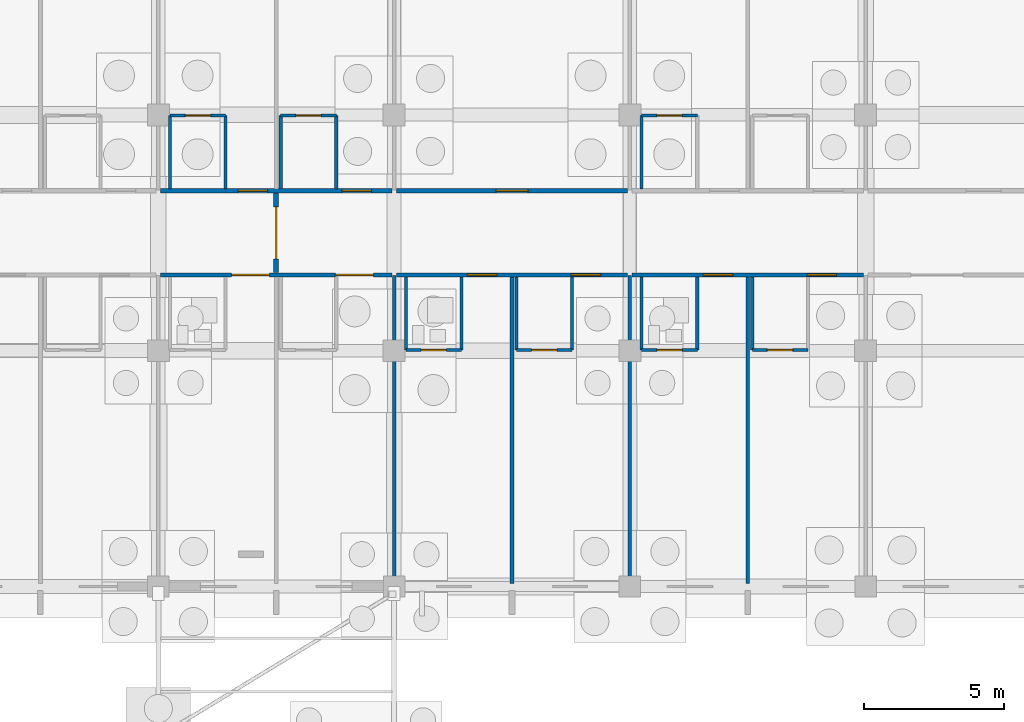
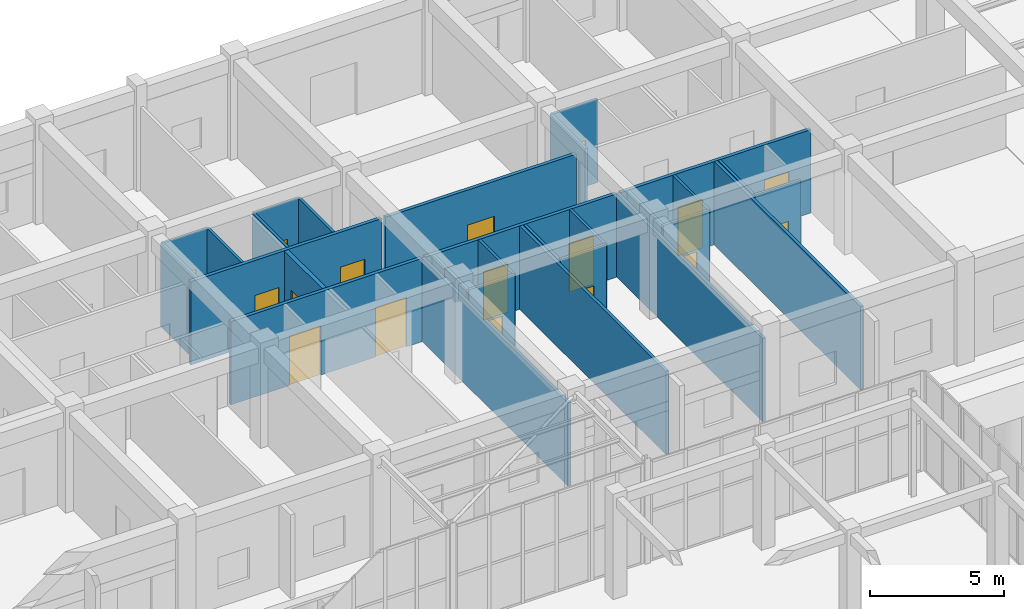
# One storey, part 168 of 192: 29 walls, 17 doors, 17 openings.
"""IFC4 building model written with IfcOpenShell, lengths in metres."""

from ifc_helpers import new_model, si_unit, direction, frame, frame_2d, origin, place, context, subcontext, project, spatial, rectangle, extrude, material, layer, layer_set, type_object, element, fill, save


model = new_model("IFC4")

# Units and contexts
model_context = context("Model", 3, precision=1e-05, world=origin(), true_north=direction((0.0, 1.0)))
body_context = subcontext(model_context, "Body", "Model", "MODEL_VIEW")
ifc_project = project(units=[si_unit("LENGTHUNIT", "METRE"), si_unit("AREAUNIT", "SQUARE_METRE"), si_unit("VOLUMEUNIT", "CUBIC_METRE"), si_unit("PLANEANGLEUNIT", "RADIAN"), si_unit("MASSUNIT", "GRAM", prefix="KILO")], contexts=[model_context])

# Site, building, storey
site_placement = place(None, origin())
site = spatial("IfcSite", under=ifc_project, at=site_placement, CompositionType="ELEMENT")
building_placement = place(site_placement, origin())
building = spatial("IfcBuilding", under=site, at=building_placement, Name="Trelvath General Hospital", CompositionType="ELEMENT")
storey_placement = place(building_placement, origin())
storey = spatial("IfcBuildingStorey", under=building, at=storey_placement, Name="L00", CompositionType="ELEMENT", Elevation=0.0)

# Wall, openings, doors
ifc_material_1 = material(Name="Gypsum acoustic steel-stud partition", Category="steel")
ifc_layer_1 = layer(ifc_material_1, 0.14990234375)
ifc_layer_set_1 = layer_set([ifc_layer_1], Name="Gypsum acoustic steel-stud partition")
wall_type_1 = type_object("IfcWallType", Name="ClinicalPartition 150", PredefinedType="PARTITIONING", material=ifc_layer_set_1)
wall_1_placement = place(storey_placement, frame((100.8798828125, 103.5, 0.0), z_axis=(0.0, 0.0, 1.0), x_axis=(1.0, 0.0, 0.0)))
wall_1 = element("IfcWall", 1, at=wall_1_placement, inside=storey, type_object=wall_type_1, Name="Corridor Partition L00-268", PredefinedType="PARTITIONING", context=body_context, shape_type="SweptSolid", body=[
    extrude(rectangle(XDim=8.240234375, YDim=0.14990234375, at=frame_2d((4.1201171875, 0.0))), origin(), (0.0, 0.0, 1.0), 3.800048828125),
])
opening_1_placement = place(wall_1_placement, frame((2.530029296875, 0.0, 0.0)))
opening_1 = element("IfcOpeningElement", 2, at=opening_1_placement, cuts=wall_1, Name="Opening D-0-0414", PredefinedType="OPENING", context=body_context, shape_type="SweptSolid", body=[
    extrude(rectangle(XDim=1.35009765625, YDim=2.25, at=frame_2d((0.675048828125, 1.125))), frame((0.0, 0.0849609375, 0.0), z_axis=(0.0, -1.0, 0.0), x_axis=(1.0, 0.0, 0.0)), (0.0, 0.0, 1.0), 0.169921875),
])
opening_2_placement = place(wall_1_placement, frame((6.22998046875, 0.0, 0.0)))
opening_2 = element("IfcOpeningElement", 3, at=opening_2_placement, cuts=wall_1, Name="Opening D-0-0415", PredefinedType="OPENING", context=body_context, shape_type="SweptSolid", body=[
    extrude(rectangle(XDim=1.35009765625, YDim=2.25, at=frame_2d((0.675048828125, 1.125))), frame((0.0, 0.0849609375, 0.0), z_axis=(0.0, -1.0, 0.0), x_axis=(1.0, 0.0, 0.0)), (0.0, 0.0, 1.0), 0.169921875),
])
ifc_material_2 = material(Name="Airtight isolation bed door")
door_type_1 = type_object("IfcDoorType", Name="Door PatientIso 1350x2250", OperationType="NOTDEFINED", PredefinedType="DOOR", material=ifc_material_2)
door_1_placement = place(opening_1_placement, origin())
door_1 = element("IfcDoor", 4, at=door_1_placement, inside=storey, type_object=door_type_1, Name="Patient Room Door L00-414", OperationType="SINGLE_SWING_RIGHT", OverallHeight=2.25, OverallWidth=1.35009765625, PredefinedType="DOOR", context=body_context, shape_type="SweptSolid", body=[
    extrude(rectangle(XDim=1.35009765625, YDim=2.25, at=frame_2d((0.675048828125, 1.125))), frame((0.0, 0.02490234375, 0.0), z_axis=(0.0, -1.0, 0.0), x_axis=(1.0, 0.0, 0.0)), (0.0, 0.0, 1.0), 0.050048828125),
])
fill(opening_1, door_1)
door_2_placement = place(opening_2_placement, origin())
door_2 = element("IfcDoor", 5, at=door_2_placement, inside=storey, type_object=door_type_1, Name="Patient Room Door L00-415", OperationType="SINGLE_SWING_LEFT", OverallHeight=2.25, OverallWidth=1.35009765625, PredefinedType="DOOR", context=body_context, shape_type="SweptSolid", body=[
    extrude(rectangle(XDim=1.35009765625, YDim=2.25, at=frame_2d((0.675048828125, 1.125))), frame((0.0, 0.02490234375, 0.0), z_axis=(0.0, -1.0, 0.0), x_axis=(1.0, 0.0, 0.0)), (0.0, 0.0, 1.0), 0.050048828125),
])
fill(opening_2, door_2)

wall_2_placement = place(storey_placement, frame((109.1201171875, 106.5, 0.0), z_axis=(0.0, 0.0, 1.0), x_axis=(-1.0, 0.0, 0.0)))
wall_2 = element("IfcWall", 6, at=wall_2_placement, inside=storey, type_object=wall_type_1, Name="Corridor Partition N L00-277", PredefinedType="PARTITIONING", context=body_context, shape_type="SweptSolid", body=[
    extrude(rectangle(XDim=8.240234375, YDim=0.14990234375, at=frame_2d((4.1201171875, 0.0))), origin(), (0.0, 0.0, 1.0), 3.800048828125),
])
opening_3_placement = place(wall_2_placement, frame((0.72998046875, 0.0, 0.0)))
opening_3 = element("IfcOpeningElement", 7, at=opening_3_placement, cuts=wall_2, Name="Opening D-0-0418", PredefinedType="OPENING", context=body_context, shape_type="SweptSolid", body=[
    extrude(rectangle(XDim=1.050048828125, YDim=2.199951171875, at=frame_2d((0.52490234375, 1.10009765625))), frame((0.0, 0.0849609375, 0.0), z_axis=(0.0, -1.0, 0.0), x_axis=(1.0, 0.0, 0.0)), (0.0, 0.0, 1.0), 0.169921875),
])
opening_4_placement = place(wall_2_placement, frame((4.429931640625, 0.0, 0.0)))
opening_4 = element("IfcOpeningElement", 8, at=opening_4_placement, cuts=wall_2, Name="Opening D-0-0419", PredefinedType="OPENING", context=body_context, shape_type="SweptSolid", body=[
    extrude(rectangle(XDim=1.050048828125, YDim=2.199951171875, at=frame_2d((0.52490234375, 1.10009765625))), frame((0.0, 0.0849609375, 0.0), z_axis=(0.0, -1.0, 0.0), x_axis=(1.0, 0.0, 0.0)), (0.0, 0.0, 1.0), 0.169921875),
])
ifc_material_3 = material(Name="Acoustic hospital timber leaf", Category="wood")
door_type_2 = type_object("IfcDoorType", Name="Door Consult 1050x2200", OperationType="NOTDEFINED", PredefinedType="DOOR", material=ifc_material_3)
door_3_placement = place(opening_3_placement, origin())
door_3 = element("IfcDoor", 9, at=door_3_placement, inside=storey, type_object=door_type_2, Name="Patient Room Door N L00-418", OperationType="SINGLE_SWING_RIGHT", OverallHeight=2.199951171875, OverallWidth=1.050048828125, PredefinedType="DOOR", context=body_context, shape_type="SweptSolid", body=[
    extrude(rectangle(XDim=1.050048828125, YDim=2.199951171875, at=frame_2d((0.52490234375, 1.10009765625))), frame((0.0, 0.02490234375, 0.0), z_axis=(0.0, -1.0, 0.0), x_axis=(1.0, 0.0, 0.0)), (0.0, 0.0, 1.0), 0.050048828125),
])
fill(opening_3, door_3)
door_4_placement = place(opening_4_placement, origin())
door_4 = element("IfcDoor", 10, at=door_4_placement, inside=storey, type_object=door_type_2, Name="Patient Room Door N L00-419", OperationType="SINGLE_SWING_RIGHT", OverallHeight=2.199951171875, OverallWidth=1.050048828125, PredefinedType="DOOR", context=body_context, shape_type="SweptSolid", body=[
    extrude(rectangle(XDim=1.050048828125, YDim=2.199951171875, at=frame_2d((0.52490234375, 1.10009765625))), frame((0.0, 0.02490234375, 0.0), z_axis=(0.0, -1.0, 0.0), x_axis=(1.0, 0.0, 0.0)), (0.0, 0.0, 1.0), 0.050048828125),
])
fill(opening_4, door_4)

wall_3_placement = place(storey_placement, frame((109.280029296875, 103.5, 0.0), z_axis=(0.0, 0.0, 1.0), x_axis=(1.0, 0.0, 0.0)))
wall_3 = element("IfcWall", 11, at=wall_3_placement, inside=storey, type_object=wall_type_1, Name="Corridor Partition L00-288", PredefinedType="PARTITIONING", context=body_context, shape_type="SweptSolid", body=[
    extrude(rectangle(XDim=8.239990234375, YDim=0.14990234375, at=frame_2d((4.1201171875, 0.0))), origin(), (0.0, 0.0, 1.0), 3.800048828125),
])
opening_5_placement = place(wall_3_placement, frame((2.530029296875, 0.0, 0.0)))
opening_5 = element("IfcOpeningElement", 12, at=opening_5_placement, cuts=wall_3, Name="Opening D-0-0423", PredefinedType="OPENING", context=body_context, shape_type="SweptSolid", body=[
    extrude(rectangle(XDim=1.050048828125, YDim=2.199951171875, at=frame_2d((0.52490234375, 1.10009765625))), frame((0.0, 0.0849609375, 0.0), z_axis=(0.0, -1.0, 0.0), x_axis=(1.0, 0.0, 0.0)), (0.0, 0.0, 1.0), 0.169921875),
])
opening_6_placement = place(wall_3_placement, frame((6.22998046875, 0.0, 0.0)))
opening_6 = element("IfcOpeningElement", 13, at=opening_6_placement, cuts=wall_3, Name="Opening D-0-0424", PredefinedType="OPENING", context=body_context, shape_type="SweptSolid", body=[
    extrude(rectangle(XDim=1.050048828125, YDim=2.199951171875, at=frame_2d((0.52490234375, 1.10009765625))), frame((0.0, 0.0849609375, 0.0), z_axis=(0.0, -1.0, 0.0), x_axis=(1.0, 0.0, 0.0)), (0.0, 0.0, 1.0), 0.169921875),
])
door_5_placement = place(opening_5_placement, origin())
door_5 = element("IfcDoor", 14, at=door_5_placement, inside=storey, type_object=door_type_2, Name="Patient Room Door L00-423", OperationType="SINGLE_SWING_LEFT", OverallHeight=2.199951171875, OverallWidth=1.050048828125, PredefinedType="DOOR", context=body_context, shape_type="SweptSolid", body=[
    extrude(rectangle(XDim=1.050048828125, YDim=2.199951171875, at=frame_2d((0.52490234375, 1.10009765625))), frame((0.0, 0.02490234375, 0.0), z_axis=(0.0, -1.0, 0.0), x_axis=(1.0, 0.0, 0.0)), (0.0, 0.0, 1.0), 0.050048828125),
])
fill(opening_5, door_5)
door_6_placement = place(opening_6_placement, origin())
door_6 = element("IfcDoor", 15, at=door_6_placement, inside=storey, type_object=door_type_2, Name="Patient Room Door L00-424", OperationType="SINGLE_SWING_RIGHT", OverallHeight=2.199951171875, OverallWidth=1.050048828125, PredefinedType="DOOR", context=body_context, shape_type="SweptSolid", body=[
    extrude(rectangle(XDim=1.050048828125, YDim=2.199951171875, at=frame_2d((0.52490234375, 1.10009765625))), frame((0.0, 0.02490234375, 0.0), z_axis=(0.0, -1.0, 0.0), x_axis=(1.0, 0.0, 0.0)), (0.0, 0.0, 1.0), 0.050048828125),
])
fill(opening_6, door_6)

# Wall, opening, door
wall_4_placement = place(storey_placement, frame((117.52001953125, 106.5, 0.0), z_axis=(0.0, 0.0, 1.0), x_axis=(-1.0, 0.0, 0.0)))
wall_4 = element("IfcWall", 16, at=wall_4_placement, inside=storey, type_object=wall_type_1, Name="Corridor Partition N L00-296", PredefinedType="PARTITIONING", context=body_context, shape_type="SweptSolid", body=[
    extrude(rectangle(XDim=8.239990234375, YDim=0.14990234375, at=frame_2d((4.1201171875, 0.0))), origin(), (0.0, 0.0, 1.0), 3.800048828125),
])
opening_7_placement = place(wall_4_placement, frame((3.544921875, 0.0, 0.0)))
opening_7 = element("IfcOpeningElement", 17, at=opening_7_placement, cuts=wall_4, Name="Opening D-0-0427", PredefinedType="OPENING", context=body_context, shape_type="SweptSolid", body=[
    extrude(rectangle(XDim=1.14990234375, YDim=2.199951171875, at=frame_2d((0.574951171875, 1.10009765625))), frame((0.0, 0.0849609375, 0.0), z_axis=(0.0, -1.0, 0.0), x_axis=(1.0, 0.0, 0.0)), (0.0, 0.0, 1.0), 0.169921875),
])
ifc_material_4 = material(Name="Phenolic cleanroom door")
door_type_3 = type_object("IfcDoorType", Name="Door Pharmacy 1150x2200", OperationType="NOTDEFINED", PredefinedType="DOOR", material=ifc_material_4)
door_7_placement = place(opening_7_placement, origin())
door_7 = element("IfcDoor", 18, at=door_7_placement, inside=storey, type_object=door_type_3, Name="Clinical Room Door L00-427", OperationType="SINGLE_SWING_LEFT", OverallHeight=2.199951171875, OverallWidth=1.14990234375, PredefinedType="DOOR", context=body_context, shape_type="SweptSolid", body=[
    extrude(rectangle(XDim=1.14990234375, YDim=2.199951171875, at=frame_2d((0.574951171875, 1.10009765625))), frame((0.0, 0.02490234375, 0.0), z_axis=(0.0, -1.0, 0.0), x_axis=(1.0, 0.0, 0.0)), (0.0, 0.0, 1.0), 0.050048828125),
])
fill(opening_7, door_7)

# Wall, openings, doors
wall_5_placement = place(storey_placement, frame((117.679931640625, 103.5, 0.0), z_axis=(0.0, 0.0, 1.0), x_axis=(1.0, 0.0, 0.0)))
wall_5 = element("IfcWall", 19, at=wall_5_placement, inside=storey, type_object=wall_type_1, Name="Corridor Partition L00-299", PredefinedType="PARTITIONING", context=body_context, shape_type="SweptSolid", body=[
    extrude(rectangle(XDim=8.239990234375, YDim=0.14990234375, at=frame_2d((4.1201171875, 0.0))), origin(), (0.0, 0.0, 1.0), 3.800048828125),
])
opening_8_placement = place(wall_5_placement, frame((2.530029296875, 0.0, 0.0)))
opening_8 = element("IfcOpeningElement", 20, at=opening_8_placement, cuts=wall_5, Name="Opening D-0-0428", PredefinedType="OPENING", context=body_context, shape_type="SweptSolid", body=[
    extrude(rectangle(XDim=1.050048828125, YDim=2.199951171875, at=frame_2d((0.52490234375, 1.10009765625))), frame((0.0, 0.0849609375, 0.0), z_axis=(0.0, -1.0, 0.0), x_axis=(1.0, 0.0, 0.0)), (0.0, 0.0, 1.0), 0.169921875),
])
opening_9_placement = place(wall_5_placement, frame((6.22998046875, 0.0, 0.0)))
opening_9 = element("IfcOpeningElement", 21, at=opening_9_placement, cuts=wall_5, Name="Opening D-0-0429", PredefinedType="OPENING", context=body_context, shape_type="SweptSolid", body=[
    extrude(rectangle(XDim=1.050048828125, YDim=2.199951171875, at=frame_2d((0.52490234375, 1.10009765625))), frame((0.0, 0.0849609375, 0.0), z_axis=(0.0, -1.0, 0.0), x_axis=(1.0, 0.0, 0.0)), (0.0, 0.0, 1.0), 0.169921875),
])
door_8_placement = place(opening_8_placement, origin())
door_8 = element("IfcDoor", 22, at=door_8_placement, inside=storey, type_object=door_type_2, Name="Patient Room Door L00-428", OperationType="SINGLE_SWING_RIGHT", OverallHeight=2.199951171875, OverallWidth=1.050048828125, PredefinedType="DOOR", context=body_context, shape_type="SweptSolid", body=[
    extrude(rectangle(XDim=1.050048828125, YDim=2.199951171875, at=frame_2d((0.52490234375, 1.10009765625))), frame((0.0, 0.02490234375, 0.0), z_axis=(0.0, -1.0, 0.0), x_axis=(1.0, 0.0, 0.0)), (0.0, 0.0, 1.0), 0.050048828125),
])
fill(opening_8, door_8)
door_9_placement = place(opening_9_placement, origin())
door_9 = element("IfcDoor", 23, at=door_9_placement, inside=storey, type_object=door_type_2, Name="Patient Room Door L00-429", OperationType="SINGLE_SWING_LEFT", OverallHeight=2.199951171875, OverallWidth=1.050048828125, PredefinedType="DOOR", context=body_context, shape_type="SweptSolid", body=[
    extrude(rectangle(XDim=1.050048828125, YDim=2.199951171875, at=frame_2d((0.52490234375, 1.10009765625))), frame((0.0, 0.02490234375, 0.0), z_axis=(0.0, -1.0, 0.0), x_axis=(1.0, 0.0, 0.0)), (0.0, 0.0, 1.0), 0.050048828125),
])
fill(opening_9, door_9)

# Walls
ifc_material_5 = material(Name="Moisture-resistant tile partition")
ifc_layer_2 = layer(ifc_material_5, 0.110107421875)
ifc_layer_set_2 = layer_set([ifc_layer_2], Name="Moisture-resistant tile partition")
wall_type_2 = type_object("IfcWallType", Name="EnSuiteWetWall 110", PredefinedType="PARTITIONING", material=ifc_layer_set_2)
for number, where, z_axis, x_axis, name in (
    (24, (101.219970703125, 106.570068359375, 0.0), (0.0, 0.0, 1.0), (0.0, 1.0, 0.0), "En-Suite W Wall N L00-279"),
    (25, (103.199951171875, 106.570068359375, 0.0), (0.0, 0.0, 1.0), (0.0, 1.0, 0.0), "En-Suite E Wall N L00-280"),
):
    element("IfcWall", number, at=place(storey_placement, frame(where, z_axis=z_axis, x_axis=x_axis)), inside=storey, type_object=wall_type_2, Name=name, PredefinedType="PARTITIONING", context=body_context, shape_type="SweptSolid", body=[
        extrude(rectangle(XDim=2.60986328125, YDim=0.110107421875, at=frame_2d((1.304931640625, 0.0))), origin(), (0.0, 0.0, 1.0), 3.800048828125),
    ])

# Wall, opening, door
wall_6_placement = place(storey_placement, frame((101.219970703125, 109.179931640625, 0.0), z_axis=(0.0, 0.0, 1.0), x_axis=(1.0, 0.0, 0.0)))
wall_6 = element("IfcWall", 26, at=wall_6_placement, inside=storey, type_object=wall_type_2, Name="En-Suite Bathroom N Partition L00-281", PredefinedType="PARTITIONING", context=body_context, shape_type="SweptSolid", body=[
    extrude(rectangle(XDim=1.97998046875, YDim=0.110107421875, at=frame_2d((0.989990234375, 0.0))), origin(), (0.0, 0.0, 1.0), 3.800048828125),
])
opening_10_placement = place(wall_6_placement, frame((0.5400390625, 0.0, 0.0)))
opening_10 = element("IfcOpeningElement", 27, at=opening_10_placement, cuts=wall_6, Name="Opening D-0-0420", PredefinedType="OPENING", context=body_context, shape_type="SweptSolid", body=[
    extrude(rectangle(XDim=0.89990234375, YDim=2.10009765625, at=frame_2d((0.449951171875, 1.050048828125))), frame((0.0, 0.06494140625, 0.0), z_axis=(0.0, -1.0, 0.0), x_axis=(1.0, 0.0, 0.0)), (0.0, 0.0, 1.0), 0.130126953125),
])
ifc_material_6 = material(Name="Moisture-sealed timber leaf", Category="wood")
door_type_4 = type_object("IfcDoorType", Name="Door EnSuite 900x2100", OperationType="NOTDEFINED", PredefinedType="DOOR", material=ifc_material_6)
door_10_placement = place(opening_10_placement, origin())
door_10 = element("IfcDoor", 28, at=door_10_placement, inside=storey, type_object=door_type_4, Name="En-Suite Bathroom N Door L00-420", OperationType="SINGLE_SWING_LEFT", OverallHeight=2.10009765625, OverallWidth=0.89990234375, PredefinedType="DOOR", context=body_context, shape_type="SweptSolid", body=[
    extrude(rectangle(XDim=0.89990234375, YDim=2.10009765625, at=frame_2d((0.449951171875, 1.050048828125))), frame((0.0, 0.02490234375, 0.0), z_axis=(0.0, -1.0, 0.0), x_axis=(1.0, 0.0, 0.0)), (0.0, 0.0, 1.0), 0.050048828125),
])
fill(opening_10, door_10)

# Walls
for number, where, z_axis, x_axis, name in (
    (29, (105.159912109375, 106.570068359375, 0.0), (0.0, 0.0, 1.0), (0.0, 1.0, 0.0), "En-Suite W Wall N L00-282"),
    (30, (107.139892578125, 106.570068359375, 0.0), (0.0, 0.0, 1.0), (0.0, 1.0, 0.0), "En-Suite E Wall N L00-283"),
):
    element("IfcWall", number, at=place(storey_placement, frame(where, z_axis=z_axis, x_axis=x_axis)), inside=storey, type_object=wall_type_2, Name=name, PredefinedType="PARTITIONING", context=body_context, shape_type="SweptSolid", body=[
        extrude(rectangle(XDim=2.60986328125, YDim=0.110107421875, at=frame_2d((1.304931640625, 0.0))), origin(), (0.0, 0.0, 1.0), 3.800048828125),
    ])

# Wall, opening, door
wall_7_placement = place(storey_placement, frame((105.159912109375, 109.179931640625, 0.0), z_axis=(0.0, 0.0, 1.0), x_axis=(1.0, 0.0, 0.0)))
wall_7 = element("IfcWall", 31, at=wall_7_placement, inside=storey, type_object=wall_type_2, Name="En-Suite Bathroom N Partition L00-284", PredefinedType="PARTITIONING", context=body_context, shape_type="SweptSolid", body=[
    extrude(rectangle(XDim=1.97998046875, YDim=0.110107421875, at=frame_2d((0.989990234375, 0.0))), origin(), (0.0, 0.0, 1.0), 3.800048828125),
])
opening_11_placement = place(wall_7_placement, frame((0.5400390625, 0.0, 0.0)))
opening_11 = element("IfcOpeningElement", 32, at=opening_11_placement, cuts=wall_7, Name="Opening D-0-0421", PredefinedType="OPENING", context=body_context, shape_type="SweptSolid", body=[
    extrude(rectangle(XDim=0.89990234375, YDim=2.10009765625, at=frame_2d((0.449951171875, 1.050048828125))), frame((0.0, 0.06494140625, 0.0), z_axis=(0.0, -1.0, 0.0), x_axis=(1.0, 0.0, 0.0)), (0.0, 0.0, 1.0), 0.130126953125),
])
door_11_placement = place(opening_11_placement, origin())
door_11 = element("IfcDoor", 33, at=door_11_placement, inside=storey, type_object=door_type_4, Name="En-Suite Bathroom N Door L00-421", OperationType="SINGLE_SWING_RIGHT", OverallHeight=2.10009765625, OverallWidth=0.89990234375, PredefinedType="DOOR", context=body_context, shape_type="SweptSolid", body=[
    extrude(rectangle(XDim=0.89990234375, YDim=2.10009765625, at=frame_2d((0.449951171875, 1.050048828125))), frame((0.0, 0.02490234375, 0.0), z_axis=(0.0, -1.0, 0.0), x_axis=(1.0, 0.0, 0.0)), (0.0, 0.0, 1.0), 0.050048828125),
])
fill(opening_11, door_11)

# Walls
for number, where, z_axis, x_axis, name in (
    (34, (109.6201171875, 100.820068359375, 0.0), (0.0, 0.0, 1.0), (0.0, 1.0, 0.0), "En-Suite W Wall L00-290"),
    (35, (111.60009765625, 100.820068359375, 0.0), (0.0, 0.0, 1.0), (0.0, 1.0, 0.0), "En-Suite E Wall L00-291"),
):
    element("IfcWall", number, at=place(storey_placement, frame(where, z_axis=z_axis, x_axis=x_axis)), inside=storey, type_object=wall_type_2, Name=name, PredefinedType="PARTITIONING", context=body_context, shape_type="SweptSolid", body=[
        extrude(rectangle(XDim=2.60986328125, YDim=0.110107421875, at=frame_2d((1.304931640625, 0.0))), origin(), (0.0, 0.0, 1.0), 3.800048828125),
    ])

# Wall, opening, door
wall_8_placement = place(storey_placement, frame((109.6201171875, 100.820068359375, 0.0), z_axis=(0.0, 0.0, 1.0), x_axis=(1.0, 0.0, 0.0)))
wall_8 = element("IfcWall", 36, at=wall_8_placement, inside=storey, type_object=wall_type_2, Name="En-Suite Bathroom Partition L00-292", PredefinedType="PARTITIONING", context=body_context, shape_type="SweptSolid", body=[
    extrude(rectangle(XDim=1.97998046875, YDim=0.110107421875, at=frame_2d((0.989990234375, 0.0))), origin(), (0.0, 0.0, 1.0), 3.800048828125),
])
opening_12_placement = place(wall_8_placement, frame((0.5400390625, 0.0, 0.0)))
opening_12 = element("IfcOpeningElement", 37, at=opening_12_placement, cuts=wall_8, Name="Opening D-0-0425", PredefinedType="OPENING", context=body_context, shape_type="SweptSolid", body=[
    extrude(rectangle(XDim=0.89990234375, YDim=2.10009765625, at=frame_2d((0.449951171875, 1.050048828125))), frame((0.0, 0.06494140625, 0.0), z_axis=(0.0, -1.0, 0.0), x_axis=(1.0, 0.0, 0.0)), (0.0, 0.0, 1.0), 0.130126953125),
])
door_12_placement = place(opening_12_placement, origin())
door_12 = element("IfcDoor", 38, at=door_12_placement, inside=storey, type_object=door_type_4, Name="En-Suite Bathroom Door L00-425", OperationType="SINGLE_SWING_LEFT", OverallHeight=2.10009765625, OverallWidth=0.89990234375, PredefinedType="DOOR", context=body_context, shape_type="SweptSolid", body=[
    extrude(rectangle(XDim=0.89990234375, YDim=2.10009765625, at=frame_2d((0.449951171875, 1.050048828125))), frame((0.0, 0.02490234375, 0.0), z_axis=(0.0, -1.0, 0.0), x_axis=(1.0, 0.0, 0.0)), (0.0, 0.0, 1.0), 0.050048828125),
])
fill(opening_12, door_12)

# Walls
for number, where, z_axis, x_axis, name in (
    (39, (113.56005859375, 100.820068359375, 0.0), (0.0, 0.0, 1.0), (0.0, 1.0, 0.0), "En-Suite W Wall L00-293"),
    (40, (115.5400390625, 100.820068359375, 0.0), (0.0, 0.0, 1.0), (0.0, 1.0, 0.0), "En-Suite E Wall L00-294"),
):
    element("IfcWall", number, at=place(storey_placement, frame(where, z_axis=z_axis, x_axis=x_axis)), inside=storey, type_object=wall_type_2, Name=name, PredefinedType="PARTITIONING", context=body_context, shape_type="SweptSolid", body=[
        extrude(rectangle(XDim=2.60986328125, YDim=0.110107421875, at=frame_2d((1.304931640625, 0.0))), origin(), (0.0, 0.0, 1.0), 3.800048828125),
    ])

# Wall, opening, door
wall_9_placement = place(storey_placement, frame((113.56005859375, 100.820068359375, 0.0), z_axis=(0.0, 0.0, 1.0), x_axis=(1.0, 0.0, 0.0)))
wall_9 = element("IfcWall", 41, at=wall_9_placement, inside=storey, type_object=wall_type_2, Name="En-Suite Bathroom Partition L00-295", PredefinedType="PARTITIONING", context=body_context, shape_type="SweptSolid", body=[
    extrude(rectangle(XDim=1.97998046875, YDim=0.110107421875, at=frame_2d((0.989990234375, 0.0))), origin(), (0.0, 0.0, 1.0), 3.800048828125),
])
opening_13_placement = place(wall_9_placement, frame((0.5400390625, 0.0, 0.0)))
opening_13 = element("IfcOpeningElement", 42, at=opening_13_placement, cuts=wall_9, Name="Opening D-0-0426", PredefinedType="OPENING", context=body_context, shape_type="SweptSolid", body=[
    extrude(rectangle(XDim=0.89990234375, YDim=2.10009765625, at=frame_2d((0.449951171875, 1.050048828125))), frame((0.0, 0.06494140625, 0.0), z_axis=(0.0, -1.0, 0.0), x_axis=(1.0, 0.0, 0.0)), (0.0, 0.0, 1.0), 0.130126953125),
])
door_13_placement = place(opening_13_placement, origin())
door_13 = element("IfcDoor", 43, at=door_13_placement, inside=storey, type_object=door_type_4, Name="En-Suite Bathroom Door L00-426", OperationType="SINGLE_SWING_RIGHT", OverallHeight=2.10009765625, OverallWidth=0.89990234375, PredefinedType="DOOR", context=body_context, shape_type="SweptSolid", body=[
    extrude(rectangle(XDim=0.89990234375, YDim=2.10009765625, at=frame_2d((0.449951171875, 1.050048828125))), frame((0.0, 0.02490234375, 0.0), z_axis=(0.0, -1.0, 0.0), x_axis=(1.0, 0.0, 0.0)), (0.0, 0.0, 1.0), 0.050048828125),
])
fill(opening_13, door_13)

# Walls
for number, where, z_axis, x_axis, name in (
    (44, (118.02001953125, 100.820068359375, 0.0), (0.0, 0.0, 1.0), (0.0, 1.0, 0.0), "En-Suite W Wall L00-301"),
    (45, (120.0, 100.820068359375, 0.0), (0.0, 0.0, 1.0), (0.0, 1.0, 0.0), "En-Suite E Wall L00-302"),
):
    element("IfcWall", number, at=place(storey_placement, frame(where, z_axis=z_axis, x_axis=x_axis)), inside=storey, type_object=wall_type_2, Name=name, PredefinedType="PARTITIONING", context=body_context, shape_type="SweptSolid", body=[
        extrude(rectangle(XDim=2.60986328125, YDim=0.110107421875, at=frame_2d((1.304931640625, 0.0))), origin(), (0.0, 0.0, 1.0), 3.800048828125),
    ])

# Wall, opening, door
wall_10_placement = place(storey_placement, frame((118.02001953125, 100.820068359375, 0.0), z_axis=(0.0, 0.0, 1.0), x_axis=(1.0, 0.0, 0.0)))
wall_10 = element("IfcWall", 46, at=wall_10_placement, inside=storey, type_object=wall_type_2, Name="En-Suite Bathroom Partition L00-303", PredefinedType="PARTITIONING", context=body_context, shape_type="SweptSolid", body=[
    extrude(rectangle(XDim=1.97998046875, YDim=0.110107421875, at=frame_2d((0.989990234375, 0.0))), origin(), (0.0, 0.0, 1.0), 3.800048828125),
])
opening_14_placement = place(wall_10_placement, frame((0.5400390625, 0.0, 0.0)))
opening_14 = element("IfcOpeningElement", 47, at=opening_14_placement, cuts=wall_10, Name="Opening D-0-0430", PredefinedType="OPENING", context=body_context, shape_type="SweptSolid", body=[
    extrude(rectangle(XDim=0.89990234375, YDim=2.10009765625, at=frame_2d((0.449951171875, 1.050048828125))), frame((0.0, 0.06494140625, 0.0), z_axis=(0.0, -1.0, 0.0), x_axis=(1.0, 0.0, 0.0)), (0.0, 0.0, 1.0), 0.130126953125),
])
door_14_placement = place(opening_14_placement, origin())
door_14 = element("IfcDoor", 48, at=door_14_placement, inside=storey, type_object=door_type_4, Name="En-Suite Bathroom Door L00-430", OperationType="SINGLE_SWING_RIGHT", OverallHeight=2.10009765625, OverallWidth=0.89990234375, PredefinedType="DOOR", context=body_context, shape_type="SweptSolid", body=[
    extrude(rectangle(XDim=0.89990234375, YDim=2.10009765625, at=frame_2d((0.449951171875, 1.050048828125))), frame((0.0, 0.02490234375, 0.0), z_axis=(0.0, -1.0, 0.0), x_axis=(1.0, 0.0, 0.0)), (0.0, 0.0, 1.0), 0.050048828125),
])
fill(opening_14, door_14)

# Wall
wall_11_placement = place(storey_placement, frame((121.9599609375, 100.820068359375, 0.0), z_axis=(0.0, 0.0, 1.0), x_axis=(0.0, 1.0, 0.0)))
element("IfcWall", 49, at=wall_11_placement, inside=storey, type_object=wall_type_2, Name="En-Suite W Wall L00-304", PredefinedType="PARTITIONING", context=body_context, shape_type="SweptSolid", body=[
    extrude(rectangle(XDim=2.60986328125, YDim=0.110107421875, at=frame_2d((1.304931640625, 0.0))), origin(), (0.0, 0.0, 1.0), 3.800048828125),
])

# Wall, opening, door
wall_12_placement = place(storey_placement, frame((121.9599609375, 100.820068359375, 0.0), z_axis=(0.0, 0.0, 1.0), x_axis=(1.0, 0.0, 0.0)))
wall_12 = element("IfcWall", 50, at=wall_12_placement, inside=storey, type_object=wall_type_2, Name="En-Suite Bathroom Partition L00-306", PredefinedType="PARTITIONING", context=body_context, shape_type="SweptSolid", body=[
    extrude(rectangle(XDim=1.97998046875, YDim=0.110107421875, at=frame_2d((0.989990234375, 0.0))), origin(), (0.0, 0.0, 1.0), 3.800048828125),
])
opening_15_placement = place(wall_12_placement, frame((0.5400390625, 0.0, 0.0)))
opening_15 = element("IfcOpeningElement", 51, at=opening_15_placement, cuts=wall_12, Name="Opening D-0-0431", PredefinedType="OPENING", context=body_context, shape_type="SweptSolid", body=[
    extrude(rectangle(XDim=0.89990234375, YDim=2.10009765625, at=frame_2d((0.449951171875, 1.050048828125))), frame((0.0, 0.06494140625, 0.0), z_axis=(0.0, -1.0, 0.0), x_axis=(1.0, 0.0, 0.0)), (0.0, 0.0, 1.0), 0.130126953125),
])
door_15_placement = place(opening_15_placement, origin())
door_15 = element("IfcDoor", 52, at=door_15_placement, inside=storey, type_object=door_type_4, Name="En-Suite Bathroom Door L00-431", OperationType="SINGLE_SWING_LEFT", OverallHeight=2.10009765625, OverallWidth=0.89990234375, PredefinedType="DOOR", context=body_context, shape_type="SweptSolid", body=[
    extrude(rectangle(XDim=0.89990234375, YDim=2.10009765625, at=frame_2d((0.449951171875, 1.050048828125))), frame((0.0, 0.02490234375, 0.0), z_axis=(0.0, -1.0, 0.0), x_axis=(1.0, 0.0, 0.0)), (0.0, 0.0, 1.0), 0.050048828125),
])
fill(opening_15, door_15)

# Wall
wall_13_placement = place(storey_placement, frame((118.02001953125, 106.570068359375, 0.0), z_axis=(0.0, 0.0, 1.0), x_axis=(0.0, 1.0, 0.0)))
element("IfcWall", 53, at=wall_13_placement, inside=storey, type_object=wall_type_2, Name="En-Suite W Wall N L00-309", PredefinedType="PARTITIONING", context=body_context, shape_type="SweptSolid", body=[
    extrude(rectangle(XDim=2.60986328125, YDim=0.110107421875, at=frame_2d((1.304931640625, 0.0))), origin(), (0.0, 0.0, 1.0), 3.800048828125),
])

# Wall, opening, door
wall_14_placement = place(storey_placement, frame((118.02001953125, 109.179931640625, 0.0), z_axis=(0.0, 0.0, 1.0), x_axis=(1.0, 0.0, 0.0)))
wall_14 = element("IfcWall", 54, at=wall_14_placement, inside=storey, type_object=wall_type_2, Name="En-Suite Bathroom N Partition L00-311", PredefinedType="PARTITIONING", context=body_context, shape_type="SweptSolid", body=[
    extrude(rectangle(XDim=1.97998046875, YDim=0.110107421875, at=frame_2d((0.989990234375, 0.0))), origin(), (0.0, 0.0, 1.0), 3.800048828125),
])
opening_16_placement = place(wall_14_placement, frame((0.5400390625, 0.0, 0.0)))
opening_16 = element("IfcOpeningElement", 55, at=opening_16_placement, cuts=wall_14, Name="Opening D-0-0434", PredefinedType="OPENING", context=body_context, shape_type="SweptSolid", body=[
    extrude(rectangle(XDim=0.89990234375, YDim=2.10009765625, at=frame_2d((0.449951171875, 1.050048828125))), frame((0.0, 0.06494140625, 0.0), z_axis=(0.0, -1.0, 0.0), x_axis=(1.0, 0.0, 0.0)), (0.0, 0.0, 1.0), 0.130126953125),
])
door_16_placement = place(opening_16_placement, origin())
door_16 = element("IfcDoor", 56, at=door_16_placement, inside=storey, type_object=door_type_4, Name="En-Suite Bathroom N Door L00-434", OperationType="SINGLE_SWING_LEFT", OverallHeight=2.10009765625, OverallWidth=0.89990234375, PredefinedType="DOOR", context=body_context, shape_type="SweptSolid", body=[
    extrude(rectangle(XDim=0.89990234375, YDim=2.10009765625, at=frame_2d((0.449951171875, 1.050048828125))), frame((0.0, 0.02490234375, 0.0), z_axis=(0.0, -1.0, 0.0), x_axis=(1.0, 0.0, 0.0)), (0.0, 0.0, 1.0), 0.050048828125),
])
fill(opening_16, door_16)

ifc_material_7 = material(Name="Masonry fire blockwork", Category="masonry")
ifc_layer_3 = layer(ifc_material_7, 0.179931640625)
ifc_layer_set_3 = layer_set([ifc_layer_3], Name="Masonry fire blockwork")
wall_type_3 = type_object("IfcWallType", Name="SmokeBarrierWall 180", PredefinedType="PARTITIONING", material=ifc_layer_set_3)
wall_15_placement = place(storey_placement, frame((105.0, 103.580078125, 0.0), z_axis=(0.0, 0.0, 1.0), x_axis=(0.0, 1.0, 0.0)))
wall_15 = element("IfcWall", 57, at=wall_15_placement, inside=storey, type_object=wall_type_3, Name="Smoke Compartment Barrier L00-285", PredefinedType="PARTITIONING", context=body_context, shape_type="SweptSolid", body=[
    extrude(rectangle(XDim=2.83984375, YDim=0.179931640625, at=frame_2d((1.419921875, 0.0))), origin(), (0.0, 0.0, 1.0), 3.800048828125),
])
opening_17_placement = place(wall_15_placement, frame((0.4951171875, 0.0, 0.0)))
opening_17 = element("IfcOpeningElement", 58, at=opening_17_placement, cuts=wall_15, Name="Opening SD-0-0422", PredefinedType="OPENING", context=body_context, shape_type="SweptSolid", body=[
    extrude(rectangle(XDim=1.85009765625, YDim=2.300048828125, at=frame_2d((0.925048828125, 1.14990234375))), frame((0.0, 0.099853515625, 0.0), z_axis=(0.0, -1.0, 0.0), x_axis=(1.0, 0.0, 0.0)), (0.0, 0.0, 1.0), 0.199951171875),
])
ifc_material_8 = material(Name="Fire-rated steel cross-corridor pair", Category="steel")
door_type_5 = type_object("IfcDoorType", Name="Door SmokeCross 1850x2300", OperationType="DOUBLE_SWING_LEFT", PredefinedType="DOOR", material=ifc_material_8)
door_17_placement = place(opening_17_placement, origin())
door_17 = element("IfcDoor", 59, at=door_17_placement, inside=storey, type_object=door_type_5, Name="Cross-Corridor Smoke Door L00-422", OperationType="SLIDING_TO_LEFT", OverallHeight=2.300048828125, OverallWidth=1.85009765625, PredefinedType="DOOR", context=body_context, shape_type="SweptSolid", body=[
    extrude(rectangle(XDim=1.85009765625, YDim=2.300048828125, at=frame_2d((0.925048828125, 1.14990234375))), frame((0.0, 0.02490234375, 0.0), z_axis=(0.0, -1.0, 0.0), x_axis=(1.0, 0.0, 0.0)), (0.0, 0.0, 1.0), 0.050048828125),
])
fill(opening_17, door_17)

# Walls
ifc_material_9 = material(Name="Gypsum acoustic steel-stud partition", Category="steel")
ifc_layer_4 = layer(ifc_material_9, 0.1298828125)
ifc_layer_set_4 = layer_set([ifc_layer_4], Name="Gypsum acoustic steel-stud partition")
wall_type_4 = type_object("IfcWallType", Name="WardPartition 130", PredefinedType="PARTITIONING", material=ifc_layer_set_4)
wall_16_placement = place(storey_placement, frame((109.199951171875, 92.5400390625, 0.0), z_axis=(0.0, 0.0, 1.0), x_axis=(0.0, 1.0, 0.0)))
element("IfcWall", 60, at=wall_16_placement, inside=storey, type_object=wall_type_4, Name="Inter-Bay Ward Partition S L00-286", PredefinedType="PARTITIONING", context=body_context, shape_type="SweptSolid", body=[
    extrude(rectangle(XDim=10.93994140625, YDim=0.1298828125, at=frame_2d((5.469970703125, 0.0))), origin(), (0.0, 0.0, 1.0), 3.800048828125),
])
wall_17_placement = place(storey_placement, frame((113.39990234375, 92.5, 0.0), z_axis=(0.0, 0.0, 1.0), x_axis=(0.0, 1.0, 0.0)))
element("IfcWall", 61, at=wall_17_placement, inside=storey, type_object=wall_type_4, Name="Room Dividing Partition S L00-289", PredefinedType="PARTITIONING", context=body_context, shape_type="SweptSolid", body=[
    extrude(rectangle(XDim=10.929931640625, YDim=0.1298828125, at=frame_2d((5.46484375, 0.0))), origin(), (0.0, 0.0, 1.0), 3.800048828125),
])
wall_18_placement = place(storey_placement, frame((117.60009765625, 92.5400390625, 0.0), z_axis=(0.0, 0.0, 1.0), x_axis=(0.0, 1.0, 0.0)))
element("IfcWall", 62, at=wall_18_placement, inside=storey, type_object=wall_type_4, Name="Inter-Bay Ward Partition S L00-297", PredefinedType="PARTITIONING", context=body_context, shape_type="SweptSolid", body=[
    extrude(rectangle(XDim=10.93994140625, YDim=0.1298828125, at=frame_2d((5.469970703125, 0.0))), origin(), (0.0, 0.0, 1.0), 3.800048828125),
])
wall_19_placement = place(storey_placement, frame((121.800048828125, 92.5, 0.0), z_axis=(0.0, 0.0, 1.0), x_axis=(0.0, 1.0, 0.0)))
element("IfcWall", 63, at=wall_19_placement, inside=storey, type_object=wall_type_4, Name="Room Dividing Partition S L00-300", PredefinedType="PARTITIONING", context=body_context, shape_type="SweptSolid", body=[
    extrude(rectangle(XDim=10.929931640625, YDim=0.1298828125, at=frame_2d((5.46484375, 0.0))), origin(), (0.0, 0.0, 1.0), 3.800048828125),
])

save(model, "model.ifc")
